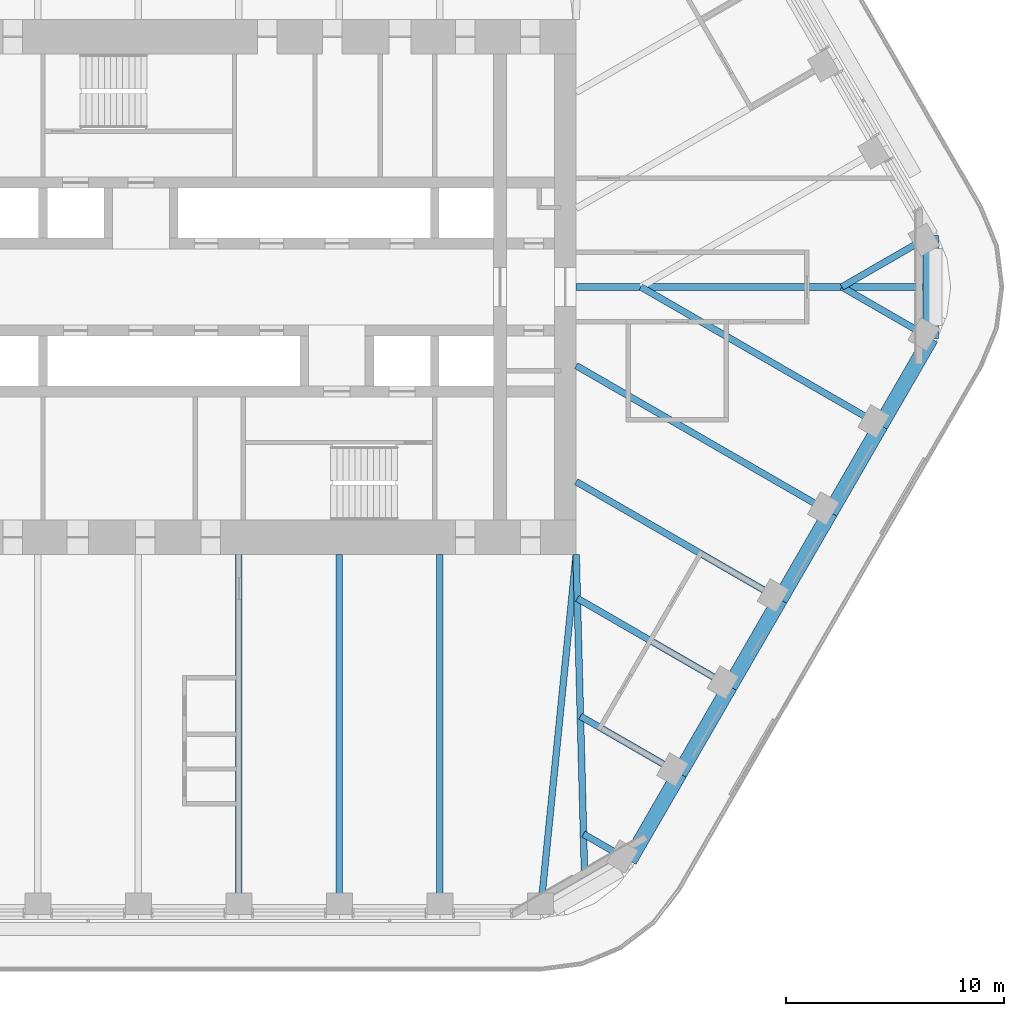
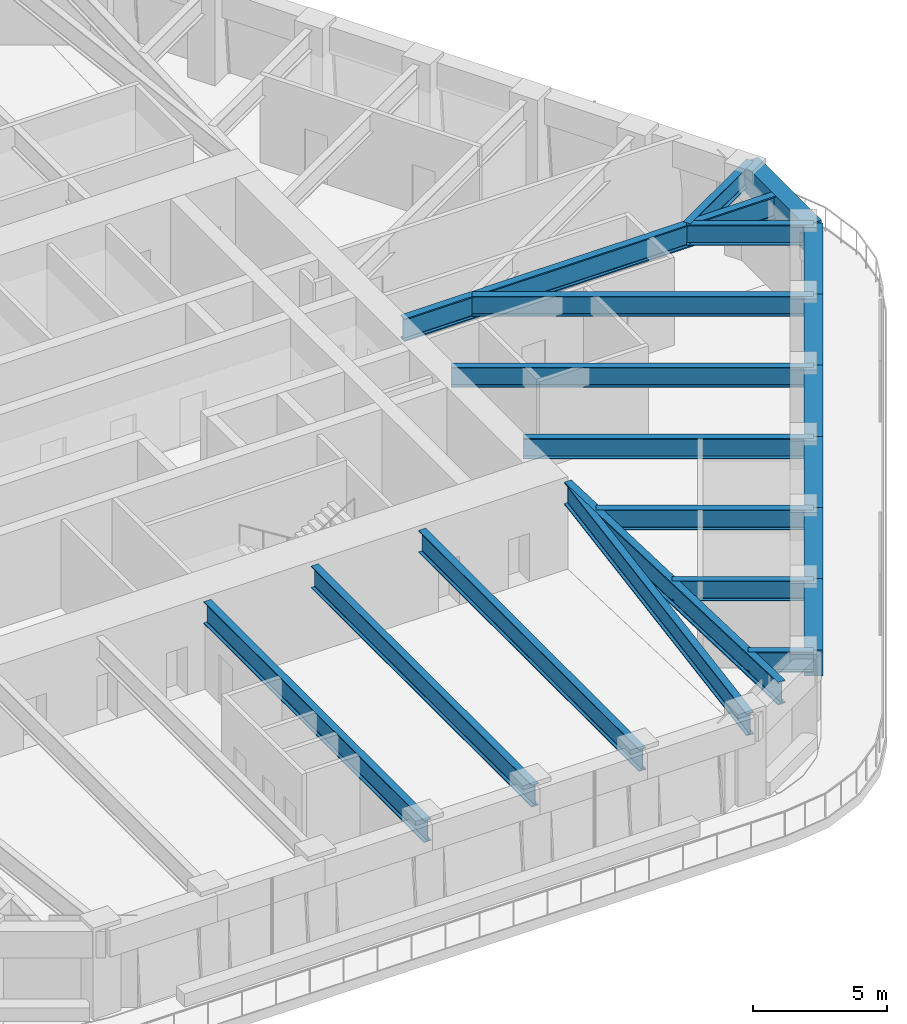
# One storey, part 5 of 20: 21 beams.
"""IFC4 building model written with IfcOpenShell, lengths in metres."""

import ifcopenshell
import ifcopenshell.guid

model = None  # the IFC model being written
_history = None  # IfcOwnerHistory: only IFC2X3 demands one
_inside = {}  # id of a spatial element -> (the spatial element, [elements in it])
_under = {}  # id of a project, library or spatial element -> (it, [spatial elements below it])
_declared = {}  # id of a project -> (the project, [libraries it declares])
_typed = {}  # id of a type object -> (the type object, [elements of that type])
_made_of = {}  # id of a material, layer set ... -> (it, [elements and type objects made of it])


def new_model(schema):
    """Start an empty IFC model of exactly this schema.

    Asked for "IFC4X3", IfcOpenShell would pick the latest addendum, in which some entities
    have other attributes; the version numbers below select the first issue.
    IFC2X3 requires an IfcOwnerHistory on every rooted entity: one is made here for all.
    """
    global model, _history
    if schema == "IFC4X3":
        model = ifcopenshell.file(schema_version=(4, 3, 0, 0))
    else:
        model = ifcopenshell.file(schema=schema)
    _inside.clear()
    _under.clear()
    _declared.clear()
    _typed.clear()
    _made_of.clear()
    _history = None
    if model.schema == "IFC2X3":
        org = make("IfcOrganization", Name="unknown")
        user = make(
            "IfcPersonAndOrganization",
            ThePerson=make("IfcPerson", FamilyName="unknown"),
            TheOrganization=org,
        )
        app = make(
            "IfcApplication",
            ApplicationDeveloper=org,
            Version="unknown",
            ApplicationFullName="unknown",
            ApplicationIdentifier="unknown",
        )
        _history = make(
            "IfcOwnerHistory",
            OwningUser=user,
            OwningApplication=app,
            ChangeAction="ADDED",
            CreationDate=0,
        )
    return model


def make(cls, **values):
    """One entity of the class cls with the attributes given. An attribute that is None is left unset."""
    return model.create_entity(
        cls, **{name: value for name, value in values.items() if value is not None}
    )


def rooted(cls, **values):
    """An entity with a GlobalId (a new one), such as an element, a storey or a relation."""
    return make(cls, GlobalId=ifcopenshell.guid.new(), OwnerHistory=_history, **values)


def si_unit(unit_type, name, prefix=None):
    """IfcSIUnit, for example si_unit("LENGTHUNIT", "METRE", prefix="MILLI")."""
    return make("IfcSIUnit", UnitType=unit_type, Prefix=prefix, Name=name)


def assignment(units):
    """IfcUnitAssignment: the units of a project."""
    return None if units is None else make("IfcUnitAssignment", Units=units)


def point(xyz):
    """IfcCartesianPoint."""
    return None if xyz is None else make("IfcCartesianPoint", Coordinates=xyz)


def direction(xyz):
    """IfcDirection."""
    return None if xyz is None else make("IfcDirection", DirectionRatios=xyz)


def frame(location, z_axis=None, x_axis=None):
    """IfcAxis2Placement3D, a coordinate frame: its origin and axes. An axis left out is left unset."""
    return make(
        "IfcAxis2Placement3D",
        Location=point(location),
        Axis=direction(z_axis),
        RefDirection=direction(x_axis),
    )


def frame_2d(location, x_axis=None):
    """IfcAxis2Placement2D, a coordinate frame in the plane: its origin and x axis."""
    return make(
        "IfcAxis2Placement2D", Location=point(location), RefDirection=direction(x_axis)
    )


def origin():
    """The frame at (0, 0, 0) with its axes left unset."""
    return frame((0.0, 0.0, 0.0))


def origin_2d():
    """The frame at (0, 0) in the plane with its x axis left unset."""
    return frame_2d((0.0, 0.0))


def place(relative_to, where):
    """IfcLocalPlacement: puts the frame where relative to a parent placement (None: the world)."""
    return make(
        "IfcLocalPlacement", PlacementRelTo=relative_to, RelativePlacement=where
    )


def context(
    kind, dimensions, precision=None, world=None, true_north=None, identifier=None
):
    """IfcGeometricRepresentationContext, for example the 3D "Model" context."""
    return make(
        "IfcGeometricRepresentationContext",
        ContextIdentifier=identifier,
        ContextType=kind,
        CoordinateSpaceDimension=dimensions,
        Precision=precision,
        WorldCoordinateSystem=world,
        TrueNorth=true_north,
    )


def subcontext(parent, identifier, kind, view, scale=None):
    """IfcGeometricRepresentationSubContext, for example "Body" below "Model"."""
    return make(
        "IfcGeometricRepresentationSubContext",
        ContextIdentifier=identifier,
        ContextType=kind,
        ParentContext=parent,
        TargetScale=scale,
        TargetView=view,
    )


def project(units=None, contexts=None):
    """IfcProject with its units and contexts."""
    return rooted(
        "IfcProject",
        Name="project",
        RepresentationContexts=contexts,
        UnitsInContext=assignment(units),
    )


def spatial(cls, under=None, at=None, **own):
    """A site, building, storey or space (cls), placed at a placement, below another one or the project."""
    s = rooted(cls, ObjectPlacement=at, **own)
    if under is not None:
        _under.setdefault(under.id(), (under, []))[1].append(s)
    return s


def profile(cls, at=None, kind="AREA", **sizes):
    """A parametric profile (cls). Its sizes go by their IFC names, for example OverallWidth=200.0."""
    return make(cls, ProfileType=kind, Position=at, **sizes)


def rectangle(**sizes):
    """IfcRectangleProfileDef."""
    return profile("IfcRectangleProfileDef", **sizes)


def i_section(**sizes):
    """IfcIShapeProfileDef."""
    return profile("IfcIShapeProfileDef", **sizes)


def extrude(swept, where, along, depth):
    """IfcExtrudedAreaSolid: the profile swept, set in the frame where, extruded along a direction by depth."""
    return make(
        "IfcExtrudedAreaSolid",
        SweptArea=swept,
        Position=where,
        ExtrudedDirection=direction(along),
        Depth=depth,
    )


def shape(context_of_items, identifier, shape_type, items):
    """IfcShapeRepresentation: the items that make up one representation, for example the "Body"."""
    return make(
        "IfcShapeRepresentation",
        ContextOfItems=context_of_items,
        RepresentationIdentifier=identifier,
        RepresentationType=shape_type,
        Items=items,
    )


def material(Name=None, Category=None):
    """IfcMaterial."""
    return make("IfcMaterial", Name=Name, Category=Category)


def material_profile(
    of_material, cross_section, Name=None, Category=None, Priority=None
):
    """IfcMaterialProfile: a cross section and its material."""
    return make(
        "IfcMaterialProfile",
        Name=Name,
        Material=of_material,
        Profile=cross_section,
        Priority=Priority,
        Category=Category,
    )


def profile_set(profiles, Name=None, composite=None):
    """IfcMaterialProfileSet."""
    return make(
        "IfcMaterialProfileSet",
        Name=Name,
        MaterialProfiles=profiles,
        CompositeProfile=composite,
    )


def made_of(thing, what):
    """Note that an element or type object is made of a material, layer set ...; save() writes the relation."""
    if what is not None:
        _made_of.setdefault(what.id(), (what, []))[1].append(thing)
    return thing


def type_object(cls, material=None, **own):
    """A type object (cls), such as IfcWallType, which elements share."""
    return made_of(rooted(cls, **own), material)


def element(
    cls,
    number,
    at=None,
    inside=None,
    cuts=None,
    type_object=None,
    material=None,
    context=None,
    identifier="Body",
    shape_type=None,
    held_by="IfcProductDefinitionShape",
    body=None,
    shapes=None,
    **own,
):
    """One element of the class cls, such as IfcWall. Its Tag is "e" and its number.

    at: its placement. inside: the storey or other place that contains it. cuts: it is an
    opening in that element (IfcRelVoidsElement). A single representation is given by context,
    identifier, shape_type and body (its items); several are given by shapes. held_by: the class
    of the entity that holds the representations. save() writes the other relations.
    """
    e = rooted(cls, Tag="e%d" % number, ObjectPlacement=at, **own)
    if body is not None:
        shapes = [shape(context, identifier, shape_type, body)]
    if shapes is not None:
        e.Representation = make(held_by, Representations=shapes)
    if inside is not None:
        _inside.setdefault(inside.id(), (inside, []))[1].append(e)
    if cuts is not None:
        rooted(
            "IfcRelVoidsElement", RelatingBuildingElement=cuts, RelatedOpeningElement=e
        )
    if type_object is not None:
        _typed.setdefault(type_object.id(), (type_object, []))[1].append(e)
    return made_of(e, material)


def aggregate(whole, parts):
    """IfcRelAggregates: a whole, such as a stair, and the parts it consists of."""
    return rooted("IfcRelAggregates", RelatingObject=whole, RelatedObjects=parts)


def save(model, path):
    """Write the relations noted so far, then the file.

    IfcRelAggregates (storeys below a building ...), IfcRelContainedInSpatialStructure (elements
    in a storey), IfcRelDefinesByType, IfcRelAssociatesMaterial and IfcRelDeclares: one each for
    every whole, place, type object, material and project.
    """
    for whole, parts in _under.values():
        aggregate(whole, parts)
    for where, things in _inside.values():
        rooted(
            "IfcRelContainedInSpatialStructure",
            RelatedElements=things,
            RelatingStructure=where,
        )
    for kind, things in _typed.values():
        rooted("IfcRelDefinesByType", RelatedObjects=things, RelatingType=kind)
    for what, things in _made_of.values():
        rooted("IfcRelAssociatesMaterial", RelatedObjects=things, RelatingMaterial=what)
    for by, libraries in _declared.values():
        rooted("IfcRelDeclares", RelatingContext=by, RelatedDefinitions=libraries)
    model.write(path)


model = new_model("IFC4")

# Units and contexts
model_context = context("Model", 3, precision=1e-05, world=origin(), true_north=direction((0.0, 1.0)))
body_context = subcontext(model_context, "Body", "Model", "MODEL_VIEW")
ifc_project = project(units=[si_unit("LENGTHUNIT", "METRE"), si_unit("AREAUNIT", "SQUARE_METRE"), si_unit("VOLUMEUNIT", "CUBIC_METRE"), si_unit("PLANEANGLEUNIT", "RADIAN"), si_unit("MASSUNIT", "GRAM", prefix="KILO")], contexts=[model_context])

# Site, building, storey
site_placement = place(None, origin())
site = spatial("IfcSite", under=ifc_project, at=site_placement, CompositionType="ELEMENT")
building_placement = place(site_placement, origin())
building = spatial("IfcBuilding", under=site, at=building_placement, Name="Tarfa Lantern Tower", CompositionType="ELEMENT")
storey_placement = place(building_placement, frame((0.0, 0.0, 270.10009765625)))
storey = spatial("IfcBuildingStorey", under=building, at=storey_placement, Name="L61", CompositionType="ELEMENT", Elevation=270.10009765625)

# Beams
ifc_material_1 = material(Name="Concrete C80/95", Category="concrete")
ifc_material_profile_1 = material_profile(ifc_material_1, rectangle(XDim=0.699951171875, YDim=1.199951171875, at=origin_2d()), Name="RC 700x1200")
ifc_profile_set_1 = profile_set([ifc_material_profile_1], Name="Concrete C80/95")
beam_type_1 = type_object("IfcBeamType", Name="EB3 RC 700x1200", PredefinedType="SPANDREL", material=ifc_profile_set_1)
for number, where, z_axis, x_axis, name in (
    (1, (17.944091796875, -26.360107421875, 3.39990234375), (0.499987836815, 0.866032426089, 0.0), (-0.866032426089, 0.499987836815, 0.0), "Edge beam SE0"),
    (2, (20.25341796875, -22.360107421875, 3.39990234375), (0.499987836815, 0.866032426089, 0.0), (-0.866032426089, 0.499987836815, 0.0), "Edge beam SE1"),
):
    element("IfcBeam", number, at=place(storey_placement, frame(where, z_axis=z_axis, x_axis=x_axis)), inside=storey, type_object=beam_type_1, Name=name, PredefinedType="SPANDREL", context=body_context, shape_type="SweptSolid", body=[
        extrude(rectangle(XDim=0.699951171875, YDim=1.199951171875, at=origin_2d()), origin(), (0.0, 0.0, 1.0), 4.61865234375),
    ])
beam_1_placement = place(storey_placement, frame((22.562744140625, -18.360107421875, 3.39990234375), z_axis=(0.500027479704, 0.866009537788, 0.0), x_axis=(-0.866009537788, 0.500027479704, 0.0)))
element("IfcBeam", 3, at=beam_1_placement, inside=storey, type_object=beam_type_1, Name="Edge beam SE2", PredefinedType="SPANDREL", context=body_context, shape_type="SweptSolid", body=[
    extrude(rectangle(XDim=0.699951171875, YDim=1.199951171875, at=origin_2d()), origin(), (0.0, 0.0, 1.0), 4.618896484375),
])
for number, where, z_axis, x_axis, name in (
    (4, (24.872314453125, -14.360107421875, 3.39990234375), (0.499987836815, 0.866032426089, 0.0), (-0.866032426089, 0.499987836815, 0.0), "Edge beam SE3"),
    (5, (27.181640625, -10.360107421875, 3.39990234375), (0.499987836815, 0.866032426089, 0.0), (-0.866032426089, 0.499987836815, 0.0), "Edge beam SE4"),
):
    element("IfcBeam", number, at=place(storey_placement, frame(where, z_axis=z_axis, x_axis=x_axis)), inside=storey, type_object=beam_type_1, Name=name, PredefinedType="SPANDREL", context=body_context, shape_type="SweptSolid", body=[
        extrude(rectangle(XDim=0.699951171875, YDim=1.199951171875, at=origin_2d()), origin(), (0.0, 0.0, 1.0), 4.61865234375),
    ])
beam_2_placement = place(storey_placement, frame((29.490966796875, -6.360107421875, 3.39990234375), z_axis=(0.500027479704, 0.866009537788, 0.0), x_axis=(-0.866009537788, 0.500027479704, 0.0)))
element("IfcBeam", 6, at=beam_2_placement, inside=storey, type_object=beam_type_1, Name="Edge beam SE5", PredefinedType="SPANDREL", context=body_context, shape_type="SweptSolid", body=[
    extrude(rectangle(XDim=0.699951171875, YDim=1.199951171875, at=origin_2d()), origin(), (0.0, 0.0, 1.0), 4.618896484375),
])
beam_3_placement = place(storey_placement, frame((31.800537109375, -2.360107421875, 3.39990234375), z_axis=(0.0, 1.0, 0.0), x_axis=(-1.0, 0.0, 0.0)))
element("IfcBeam", 7, at=beam_3_placement, inside=storey, type_object=beam_type_1, Name="Edge beam SE6", PredefinedType="SPANDREL", context=body_context, shape_type="SweptSolid", body=[
    extrude(rectangle(XDim=0.699951171875, YDim=1.199951171875, at=origin_2d()), origin(), (0.0, 0.0, 1.0), 4.72021484375),
])
ifc_material_2 = material(Name="Steel S460M", Category="steel")
ifc_material_profile_2 = material_profile(ifc_material_2, i_section(OverallWidth=0.302001953125, OverallDepth=1.008056640625, WebThickness=0.02099609375, FlangeThickness=0.0400390625, FilletRadius=0.030029296875, at=origin_2d()), Name="UB1016x305x349")
ifc_profile_set_2 = profile_set([ifc_material_profile_2], Name="Steel S460M")
beam_type_2 = type_object("IfcBeamType", Name="UB1016x305x349", PredefinedType="BEAM", material=ifc_profile_set_2)
for number, where, z_axis, x_axis, name in (
    (8, (0.0, -28.719970703125, 3.495849609375), (0.0, 1.0, 0.0), (-1.0, 0.0, 0.0), "Floor beam S3"),
    (9, (4.618896484375, -28.719970703125, 3.495849609375), (0.0, 1.0, 0.0), (-1.0, 0.0, 0.0), "Floor beam S4"),
    (10, (9.237548828125, -28.719970703125, 3.495849609375), (0.0, 1.0, 0.0), (-1.0, 0.0, 0.0), "Floor beam S5"),
):
    element("IfcBeam", number, at=place(storey_placement, frame(where, z_axis=z_axis, x_axis=x_axis)), inside=storey, type_object=beam_type_2, Name=name, PredefinedType="BEAM", context=body_context, shape_type="SweptSolid", body=[
        extrude(i_section(OverallWidth=0.302001953125, OverallDepth=1.008056640625, WebThickness=0.02099609375, FlangeThickness=0.0400390625, FilletRadius=0.030029296875, at=origin_2d()), origin(), (0.0, 0.0, 1.0), 16.419921875),
    ])
beam_4_placement = place(storey_placement, frame((13.8564453125, -28.719970703125, 3.495849609375), z_axis=(0.099597466746, 0.995027810977, 0.0), x_axis=(-0.995027810977, 0.099597466746, 0.0)))
element("IfcBeam", 11, at=beam_4_placement, inside=storey, type_object=beam_type_2, Name="Floor beam S6", PredefinedType="BEAM", context=body_context, shape_type="SweptSolid", body=[
    extrude(i_section(OverallWidth=0.302001953125, OverallDepth=1.008056640625, WebThickness=0.02099609375, FlangeThickness=0.0400390625, FilletRadius=0.030029296875, at=origin_2d()), origin(), (0.0, 0.0, 1.0), 16.501953125),
])
ifc_material_profile_3 = material_profile(ifc_material_2, i_section(OverallWidth=0.30859375, OverallDepth=1.036376953125, WebThickness=0.030029296875, FlangeThickness=0.05419921875, FilletRadius=0.030029296875, at=origin_2d()), Name="UB1016x305x487")
ifc_profile_set_3 = profile_set([ifc_material_profile_3], Name="Steel S460M")
beam_type_3 = type_object("IfcBeamType", Name="UB1016x305x487", PredefinedType="BEAM", material=ifc_profile_set_3)
beam_5_placement = place(storey_placement, frame((15.5, 0.0, 3.481689453125), z_axis=(1.0, 0.0, 0.0), x_axis=(0.0, 1.0, 0.0)))
element("IfcBeam", 12, at=beam_5_placement, inside=storey, type_object=beam_type_3, Name="Hip girder E", PredefinedType="BEAM", context=body_context, shape_type="SweptSolid", body=[
    extrude(i_section(OverallWidth=0.30859375, OverallDepth=1.036376953125, WebThickness=0.030029296875, FlangeThickness=0.05419921875, FilletRadius=0.030029296875, at=origin_2d()), origin(), (0.0, 0.0, 1.0), 16.300537109375),
])
beam_6_placement = place(storey_placement, frame((15.5, -12.300048828125, 3.481689453125), z_axis=(0.026247301989, -0.999655480222, 0.0), x_axis=(0.999655480222, 0.026247301989, 0.0)))
element("IfcBeam", 13, at=beam_6_placement, inside=storey, type_object=beam_type_3, Name="Hip girder SE", PredefinedType="BEAM", context=body_context, shape_type="SweptSolid", body=[
    extrude(i_section(OverallWidth=0.30859375, OverallDepth=1.036376953125, WebThickness=0.030029296875, FlangeThickness=0.05419921875, FilletRadius=0.030029296875, at=origin_2d()), origin(), (0.0, 0.0, 1.0), 15.245361328125),
])
ifc_material_profile_4 = material_profile(ifc_material_2, i_section(OverallWidth=0.305419921875, OverallDepth=0.91845703125, WebThickness=0.017333984375, FlangeThickness=0.02783203125, FilletRadius=0.01904296875, at=origin_2d()), Name="UB914x305x253")
ifc_profile_set_4 = profile_set([ifc_material_profile_4], Name="Steel S460M")
beam_type_4 = type_object("IfcBeamType", Name="UB914x305x253", PredefinedType="BEAM", material=ifc_profile_set_4)
beam_7_placement = place(storey_placement, frame((31.800537109375, 2.360107421875, 3.540771484375), z_axis=(-0.866015897305, -0.500016465344, 0.0), x_axis=(0.500016465344, -0.866015897305, 0.0)))
element("IfcBeam", 14, at=beam_7_placement, inside=storey, type_object=beam_type_4, Name="Floor beam NE0", PredefinedType="BEAM", context=body_context, shape_type="SweptSolid", body=[
    extrude(i_section(OverallWidth=0.305419921875, OverallDepth=0.91845703125, WebThickness=0.017333984375, FlangeThickness=0.02783203125, FilletRadius=0.01904296875, at=origin_2d()), origin(), (0.0, 0.0, 1.0), 4.719970703125),
])
beam_8_placement = place(storey_placement, frame((17.944091796875, -26.360107421875, 3.540771484375), z_axis=(-0.865980009423, 0.5000786171, 0.0), x_axis=(-0.5000786171, -0.865980009423, 0.0)))
element("IfcBeam", 15, at=beam_8_placement, inside=storey, type_object=beam_type_4, Name="Floor beam SE0", PredefinedType="BEAM", context=body_context, shape_type="SweptSolid", body=[
    extrude(i_section(OverallWidth=0.305419921875, OverallDepth=0.91845703125, WebThickness=0.017333984375, FlangeThickness=0.02783203125, FilletRadius=0.01904296875, at=origin_2d()), origin(), (0.0, 0.0, 1.0), 2.4326171875),
])
beam_9_placement = place(storey_placement, frame((20.25341796875, -22.360107421875, 3.540771484375), z_axis=(-0.86601951648, 0.500010196972, 0.0), x_axis=(-0.500010196972, -0.86601951648, 0.0)))
element("IfcBeam", 16, at=beam_9_placement, inside=storey, type_object=beam_type_4, Name="Floor beam SE1", PredefinedType="BEAM", context=body_context, shape_type="SweptSolid", body=[
    extrude(i_section(OverallWidth=0.305419921875, OverallDepth=0.91845703125, WebThickness=0.017333984375, FlangeThickness=0.02783203125, FilletRadius=0.01904296875, at=origin_2d()), origin(), (0.0, 0.0, 1.0), 5.263671875),
])
beam_10_placement = place(storey_placement, frame((22.562744140625, -18.360107421875, 3.540771484375), z_axis=(-0.866010787764, 0.500025314835, 0.0), x_axis=(-0.500025314835, -0.866010787764, 0.0)))
element("IfcBeam", 17, at=beam_10_placement, inside=storey, type_object=beam_type_4, Name="Floor beam SE2", PredefinedType="BEAM", context=body_context, shape_type="SweptSolid", body=[
    extrude(i_section(OverallWidth=0.305419921875, OverallDepth=0.91845703125, WebThickness=0.017333984375, FlangeThickness=0.02783203125, FilletRadius=0.01904296875, at=origin_2d()), origin(), (0.0, 0.0, 1.0), 8.09423828125),
])
beam_11_placement = place(storey_placement, frame((24.872314453125, -14.360107421875, 3.540771484375), z_axis=(-0.8660244219, 0.500001700669, 0.0), x_axis=(-0.500001700669, -0.8660244219, 0.0)))
element("IfcBeam", 18, at=beam_11_placement, inside=storey, type_object=beam_type_4, Name="Floor beam SE3", PredefinedType="BEAM", context=body_context, shape_type="SweptSolid", body=[
    extrude(i_section(OverallWidth=0.305419921875, OverallDepth=0.91845703125, WebThickness=0.017333984375, FlangeThickness=0.02783203125, FilletRadius=0.01904296875, at=origin_2d()), origin(), (0.0, 0.0, 1.0), 10.822265625),
])
beam_12_placement = place(storey_placement, frame((27.181640625, -10.360107421875, 3.540771484375), z_axis=(-0.866018002818, 0.500012818631, 0.0), x_axis=(-0.500012818631, -0.866018002818, 0.0)))
element("IfcBeam", 19, at=beam_12_placement, inside=storey, type_object=beam_type_4, Name="Floor beam SE4", PredefinedType="BEAM", context=body_context, shape_type="SweptSolid", body=[
    extrude(i_section(OverallWidth=0.305419921875, OverallDepth=0.91845703125, WebThickness=0.017333984375, FlangeThickness=0.02783203125, FilletRadius=0.01904296875, at=origin_2d()), origin(), (0.0, 0.0, 1.0), 13.489013671875),
])
beam_13_placement = place(storey_placement, frame((29.490966796875, -6.360107421875, 3.540771484375), z_axis=(-0.866022258038, 0.500005448553, 0.0), x_axis=(-0.500005448553, -0.866022258038, 0.0)))
element("IfcBeam", 20, at=beam_13_placement, inside=storey, type_object=beam_type_4, Name="Floor beam SE5", PredefinedType="BEAM", context=body_context, shape_type="SweptSolid", body=[
    extrude(i_section(OverallWidth=0.305419921875, OverallDepth=0.91845703125, WebThickness=0.017333984375, FlangeThickness=0.02783203125, FilletRadius=0.01904296875, at=origin_2d()), origin(), (0.0, 0.0, 1.0), 12.719970703125),
])
beam_14_placement = place(storey_placement, frame((31.800537109375, -2.360107421875, 3.540771484375), z_axis=(-0.866015897305, 0.500016465344, 0.0), x_axis=(-0.500016465344, -0.866015897305, 0.0)))
element("IfcBeam", 21, at=beam_14_placement, inside=storey, type_object=beam_type_4, Name="Floor beam SE6", PredefinedType="BEAM", context=body_context, shape_type="SweptSolid", body=[
    extrude(i_section(OverallWidth=0.305419921875, OverallDepth=0.91845703125, WebThickness=0.017333984375, FlangeThickness=0.02783203125, FilletRadius=0.01904296875, at=origin_2d()), origin(), (0.0, 0.0, 1.0), 4.719970703125),
])

save(model, "model.ifc")
